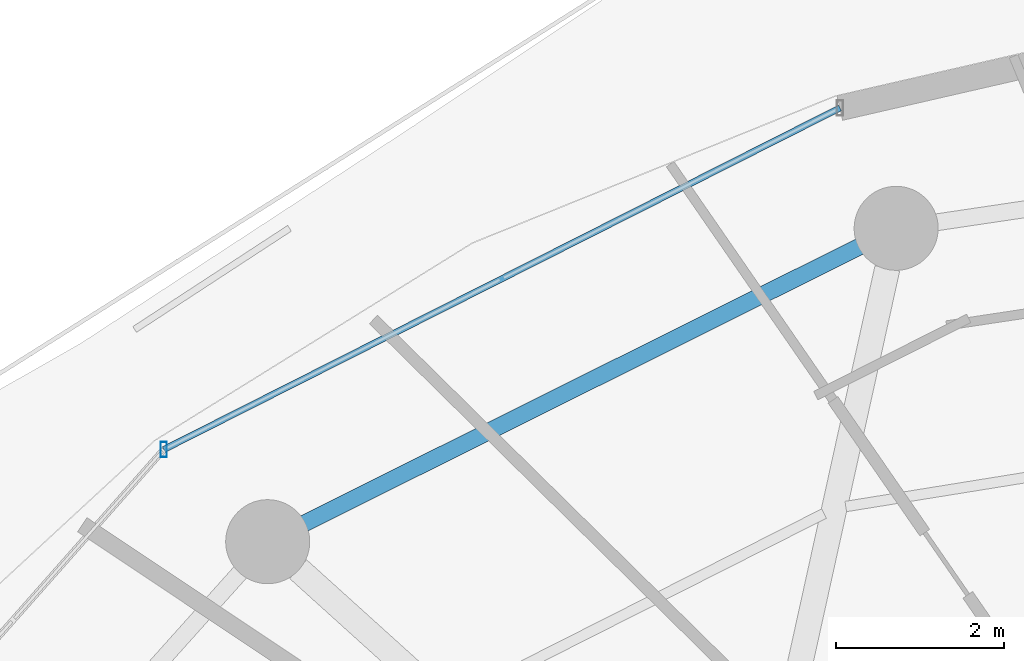
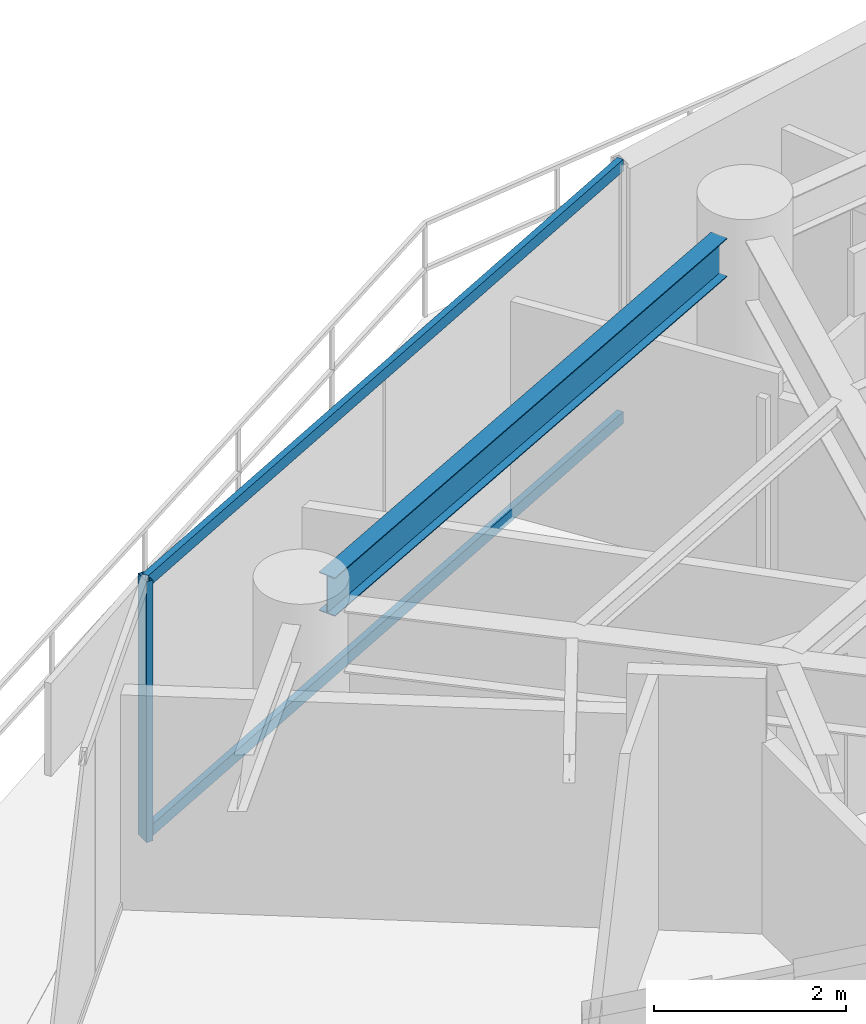
# One storey, part 16 of 30: 3 members, 1 beam, 1 element without a shape of its own.
"""IFC4 building model written with IfcOpenShell, lengths in metres."""

from ifc_helpers import new_model, si_unit, direction, frame, origin, origin_2d, place, context, subcontext, project, spatial, hollow_rectangle, i_section, extrude, material, material_profile, profile_set, type_object, element, aggregate, save


model = new_model("IFC4")

# Units and contexts
model_context = context("Model", 3, precision=1e-05, world=origin(), true_north=direction((0.0, 1.0)))
body_context = subcontext(model_context, "Body", "Model", "MODEL_VIEW")
ifc_project = project(units=[si_unit("LENGTHUNIT", "METRE"), si_unit("AREAUNIT", "SQUARE_METRE"), si_unit("VOLUMEUNIT", "CUBIC_METRE"), si_unit("PLANEANGLEUNIT", "RADIAN"), si_unit("MASSUNIT", "GRAM", prefix="KILO")], contexts=[model_context])

# Site, building, storey
site_placement = place(None, origin())
site = spatial("IfcSite", under=ifc_project, at=site_placement, CompositionType="ELEMENT")
building_placement = place(site_placement, origin())
building = spatial("IfcBuilding", under=site, at=building_placement, Name="Vorneva Point Tower", CompositionType="ELEMENT")
storey_placement = place(building_placement, frame((0.0, 0.0, 157.10009765625)))
storey = spatial("IfcBuildingStorey", under=building, at=storey_placement, Name="L42", CompositionType="ELEMENT", Elevation=157.10009765625)

# Beam
ifc_material_1 = material(Name="Steel S355", Category="steel")
ifc_material_profile_1 = material_profile(ifc_material_1, i_section(OverallWidth=0.199951171875, OverallDepth=0.491943359375, WebThickness=0.0087890625, FlangeThickness=0.011962890625, at=origin_2d()), Name="50B1")
ifc_profile_set_1 = profile_set([ifc_material_profile_1], Name="Steel S355")
beam_type = type_object("IfcBeamType", Name="BM-SPN-50B1", PredefinedType="SPANDREL", material=ifc_profile_set_1)
beam_placement = place(storey_placement, frame((28.7451171875, 41.67431640625, 2.993896484375), z_axis=(-0.894929061397, -0.446208443518, 0.0), x_axis=(0.446208443518, -0.894929061397, 0.0)))
element("IfcBeam", 1, at=beam_placement, inside=storey, type_object=beam_type, Name="L42 Perimeter Spandrel Ring Beam 06", PredefinedType="SPANDREL", context=body_context, shape_type="SweptSolid", body=[
    extrude(i_section(OverallWidth=0.199951171875, OverallDepth=0.491943359375, WebThickness=0.0087890625, FlangeThickness=0.011962890625, at=origin_2d()), origin(), (0.0, 0.0, 1.0), 7.385986328125),
])

# Curtain wall, members
ifc_material_2 = material(Name="Pale anodised aluminium", Category="aluminium")
curtain_wall_type = type_object("IfcCurtainWallType", Name="CW-RES-SYS", PredefinedType="NOTDEFINED", material=ifc_material_2)
curtain_wall_placement = place(storey_placement, origin())
curtain_wall = element("IfcCurtainWall", 2, at=curtain_wall_placement, inside=storey, type_object=curtain_wall_type, Name="L42 Unitised Curtain Wall CW-L42-R03", PredefinedType="NOTDEFINED")
ifc_material_profile_2 = material_profile(ifc_material_2, hollow_rectangle(XDim=0.074951171875, YDim=0.179931640625, WallThickness=0.00390625, at=origin_2d()), Name="AL-MUL 180x75x4")
ifc_profile_set_2 = profile_set([ifc_material_profile_2], Name="Pale anodised aluminium")
member_type_1 = type_object("IfcMemberType", Name="CW-MUL-180", PredefinedType="MULLION", material=ifc_profile_set_2)
member_1_placement = place(storey_placement, frame((20.4638671875, 39.25830078125, -0.0400390625), z_axis=(0.0, 0.0, 1.0), x_axis=(1.0, 0.0, 0.0)))
member_1 = element("IfcMember", 3, at=member_1_placement, type_object=member_type_1, Name="CW-L42-R03 Mullion 02", PredefinedType="MULLION", context=body_context, shape_type="SweptSolid", body=[
    extrude(hollow_rectangle(XDim=0.074951171875, YDim=0.179931640625, WallThickness=0.00390625, at=origin_2d()), origin(), (0.0, 0.0, 1.0), 3.31005859375),
])
ifc_material_profile_3 = material_profile(ifc_material_2, hollow_rectangle(XDim=0.074951171875, YDim=0.14990234375, WallThickness=0.00390625, at=origin_2d()), Name="AL-TRN 150x75x4")
ifc_profile_set_3 = profile_set([ifc_material_profile_3], Name="Pale anodised aluminium")
member_type_2 = type_object("IfcMemberType", Name="CW-TRN-150", PredefinedType="USERDEFINED", material=ifc_profile_set_3)
member_2_placement = place(storey_placement, frame((28.509521484375, 43.32275390625, 0.02001953125), z_axis=(-0.892572392955, -0.450904117673, 0.0), x_axis=(0.450904117673, -0.892572392955, 0.0)))
member_2 = element("IfcMember", 4, at=member_2_placement, type_object=member_type_2, Name="CW-L42-R03 Transom 01.1", ObjectType="TRANSOM", PredefinedType="USERDEFINED", context=body_context, shape_type="SweptSolid", body=[
    extrude(hollow_rectangle(XDim=0.074951171875, YDim=0.14990234375, WallThickness=0.00390625, at=origin_2d()), origin(), (0.0, 0.0, 1.0), 9.013916015625),
])
member_3_placement = place(storey_placement, frame((28.509521484375, 43.32275390625, 3.219970703125), z_axis=(-0.892572392955, -0.450904117673, 0.0), x_axis=(0.450904117673, -0.892572392955, 0.0)))
member_3 = element("IfcMember", 5, at=member_3_placement, type_object=member_type_2, Name="CW-L42-R03 Transom 01.2", ObjectType="TRANSOM", PredefinedType="USERDEFINED", context=body_context, shape_type="SweptSolid", body=[
    extrude(hollow_rectangle(XDim=0.074951171875, YDim=0.14990234375, WallThickness=0.00390625, at=origin_2d()), origin(), (0.0, 0.0, 1.0), 9.013916015625),
])
aggregate(curtain_wall, [member_1, member_2, member_3])

save(model, "model.ifc")
